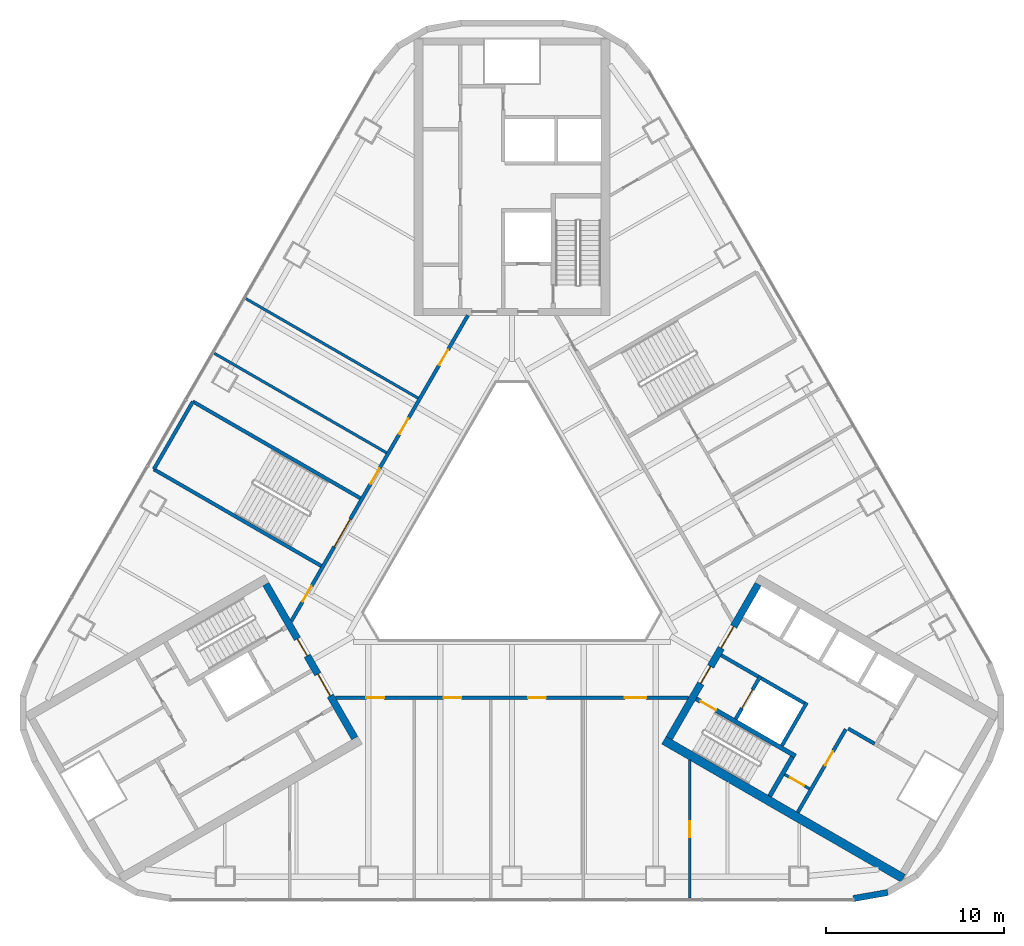
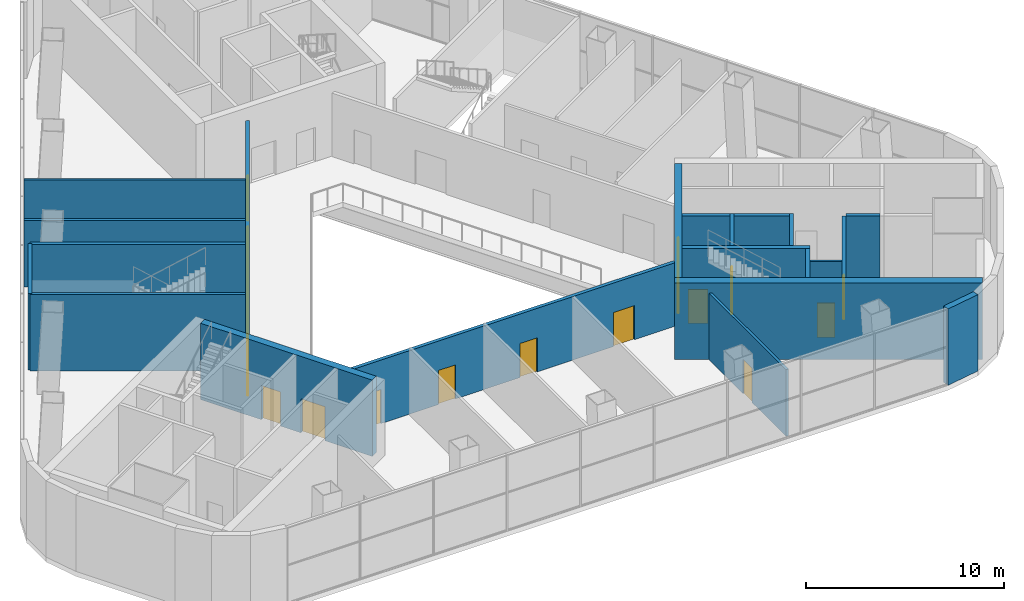
# One storey, part 8 of 13: 21 walls, 18 doors, 18 openings.
"""IFC4 building model written with IfcOpenShell, lengths in metres."""

from ifc_helpers import new_model, si_unit, direction, frame, frame_2d, origin, place, context, subcontext, project, spatial, rectangle, extrude, material, layer, layer_set, type_object, element, fill, save


model = new_model("IFC4")

# Units and contexts
model_context = context("Model", 3, precision=1e-05, world=origin(), true_north=direction((0.0, 1.0)))
body_context = subcontext(model_context, "Body", "Model", "MODEL_VIEW")
ifc_project = project(units=[si_unit("LENGTHUNIT", "METRE"), si_unit("AREAUNIT", "SQUARE_METRE"), si_unit("VOLUMEUNIT", "CUBIC_METRE"), si_unit("PLANEANGLEUNIT", "RADIAN"), si_unit("MASSUNIT", "GRAM", prefix="KILO")], contexts=[model_context])

# Site, building, storey
site_placement = place(None, origin())
site = spatial("IfcSite", under=ifc_project, at=site_placement, CompositionType="ELEMENT")
building_placement = place(site_placement, origin())
building = spatial("IfcBuilding", under=site, at=building_placement, Name="Apuvela Tower Hotel", CompositionType="ELEMENT")
storey_placement = place(building_placement, frame((0.0, 0.0, 23.5)))
storey = spatial("IfcBuildingStorey", under=building, at=storey_placement, Name="L03", CompositionType="ELEMENT", Elevation=23.5)

# Wall, openings, doors
ifc_material_1 = material(Name="Concrete C50/60", Category="concrete")
ifc_layer_1 = layer(ifc_material_1, 0.39990234375)
ifc_layer_set_1 = layer_set([ifc_layer_1], Name="COR-WALL-CORE-400")
wall_type_1 = type_object("IfcWallType", Name="COR-WALL-CORE-400", PredefinedType="SHEAR", material=ifc_layer_set_1)
wall_1_placement = place(storey_placement, frame((-13.844970703125, -2.219970703125, 0.0), z_axis=(0.0, 0.0, 1.0), x_axis=(0.500004234368, -0.866022959057, 0.0)))
wall_1 = element("IfcWall", 1, at=wall_1_placement, inside=storey, type_object=wall_type_1, Name="Core wall SW", PredefinedType="SHEAR", context=body_context, shape_type="SweptSolid", body=[
    extrude(rectangle(XDim=10.0, YDim=0.39990234375, at=frame_2d((5.0, 0.0))), origin(), (0.0, 0.0, 1.0), 4.699951171875),
])
opening_1_placement = place(wall_1_placement, frame((3.550048828125, 0.0, 0.0)))
opening_1 = element("IfcOpeningElement", 2, at=opening_1_placement, cuts=wall_1, Name="Opening W-FD", PredefinedType="OPENING", context=body_context, shape_type="SweptSolid", body=[
    extrude(rectangle(XDim=1.10009765625, YDim=2.10009765625, at=frame_2d((0.550048828125, 1.050048828125))), frame((0.0, 0.2099609375, 0.0), z_axis=(0.0, -1.0, 0.0), x_axis=(1.0, 0.0, 0.0)), (0.0, 0.0, 1.0), 0.419921875),
])
opening_2_placement = place(wall_1_placement, frame((5.85009765625, 0.0, 0.0)))
opening_2 = element("IfcOpeningElement", 3, at=opening_2_placement, cuts=wall_1, Name="Opening W-GD", PredefinedType="OPENING", context=body_context, shape_type="SweptSolid", body=[
    extrude(rectangle(XDim=1.39990234375, YDim=2.10009765625, at=frame_2d((0.699951171875, 1.050048828125))), frame((0.0, 0.2099609375, 0.0), z_axis=(0.0, -1.0, 0.0), x_axis=(1.0, 0.0, 0.0)), (0.0, 0.0, 1.0), 0.419921875),
])
ifc_material_2 = material(Name="Steel fire door, powder coated", Category="steel")
door_type_1 = type_object("IfcDoorType", Name="COR-FD-1100", OperationType="NOTDEFINED", PredefinedType="DOOR", material=ifc_material_2)
door_1_placement = place(opening_1_placement, frame((1.10009765625, 0.0, 0.0), z_axis=(0.0, 0.0, 1.0), x_axis=(-1.0, 0.0, 0.0)))
door_1 = element("IfcDoor", 4, at=door_1_placement, inside=storey, type_object=door_type_1, Name="Firefighting lobby door W-FD", OperationType="SINGLE_SWING_LEFT", OverallHeight=2.10009765625, OverallWidth=1.10009765625, PredefinedType="DOOR", context=body_context, shape_type="SweptSolid", body=[
    extrude(rectangle(XDim=1.10009765625, YDim=2.10009765625, at=frame_2d((0.550048828125, 1.050048828125))), frame((0.0, 0.02490234375, 0.0), z_axis=(0.0, -1.0, 0.0), x_axis=(1.0, 0.0, 0.0)), (0.0, 0.0, 1.0), 0.050048828125),
])
fill(opening_1, door_1)
ifc_material_3 = material(Name="Glazed steel fire door", Category="steel")
door_type_2 = type_object("IfcDoorType", Name="COR-GD-1400", OperationType="DOUBLE_DOOR_SINGLE_SWING", PredefinedType="DOOR", material=ifc_material_3)
door_2_placement = place(opening_2_placement, frame((1.39990234375, 0.0, 0.0), z_axis=(0.0, 0.0, 1.0), x_axis=(-1.0, 0.0, 0.0)))
door_2 = element("IfcDoor", 5, at=door_2_placement, inside=storey, type_object=door_type_2, Name="Lift lobby door W-GD", OperationType="DOUBLE_DOOR_SINGLE_SWING", OverallHeight=2.10009765625, OverallWidth=1.39990234375, PredefinedType="DOOR", context=body_context, shape_type="SweptSolid", body=[
    extrude(rectangle(XDim=1.39990234375, YDim=2.10009765625, at=frame_2d((0.699951171875, 1.050048828125))), frame((0.0, 0.02490234375, 0.0), z_axis=(0.0, -1.0, 0.0), x_axis=(1.0, 0.0, 0.0)), (0.0, 0.0, 1.0), 0.050048828125),
])
fill(opening_2, door_2)

wall_2_placement = place(storey_placement, frame((8.844970703125, -10.880126953125, 0.0), z_axis=(0.0, 0.0, 1.0), x_axis=(0.500004234368, 0.866022959057, 0.0)))
wall_2 = element("IfcWall", 6, at=wall_2_placement, inside=storey, type_object=wall_type_1, Name="Core wall SE", PredefinedType="SHEAR", context=body_context, shape_type="SweptSolid", body=[
    extrude(rectangle(XDim=10.0, YDim=0.39990234375, at=frame_2d((5.0, 0.0))), origin(), (0.0, 0.0, 1.0), 4.699951171875),
])
opening_3_placement = place(wall_2_placement, frame((3.550048828125, 0.0, 0.0)))
opening_3 = element("IfcOpeningElement", 7, at=opening_3_placement, cuts=wall_2, Name="Opening E-FD", PredefinedType="OPENING", context=body_context, shape_type="SweptSolid", body=[
    extrude(rectangle(XDim=1.10009765625, YDim=2.10009765625, at=frame_2d((0.550048828125, 1.050048828125))), frame((0.0, 0.2099609375, 0.0), z_axis=(0.0, -1.0, 0.0), x_axis=(1.0, 0.0, 0.0)), (0.0, 0.0, 1.0), 0.419921875),
])
opening_4_placement = place(wall_2_placement, frame((5.85009765625, 0.0, 0.0)))
opening_4 = element("IfcOpeningElement", 8, at=opening_4_placement, cuts=wall_2, Name="Opening E-GD", PredefinedType="OPENING", context=body_context, shape_type="SweptSolid", body=[
    extrude(rectangle(XDim=1.39990234375, YDim=2.10009765625, at=frame_2d((0.699951171875, 1.050048828125))), frame((0.0, 0.2099609375, 0.0), z_axis=(0.0, -1.0, 0.0), x_axis=(1.0, 0.0, 0.0)), (0.0, 0.0, 1.0), 0.419921875),
])
door_3_placement = place(opening_3_placement, frame((1.10009765625, 0.0, 0.0), z_axis=(0.0, 0.0, 1.0), x_axis=(-1.0, 0.0, 0.0)))
door_3 = element("IfcDoor", 9, at=door_3_placement, inside=storey, type_object=door_type_1, Name="Firefighting lobby door E-FD", OperationType="SINGLE_SWING_LEFT", OverallHeight=2.10009765625, OverallWidth=1.10009765625, PredefinedType="DOOR", context=body_context, shape_type="SweptSolid", body=[
    extrude(rectangle(XDim=1.10009765625, YDim=2.10009765625, at=frame_2d((0.550048828125, 1.050048828125))), frame((0.0, 0.02490234375, 0.0), z_axis=(0.0, -1.0, 0.0), x_axis=(1.0, 0.0, 0.0)), (0.0, 0.0, 1.0), 0.050048828125),
])
fill(opening_3, door_3)
door_4_placement = place(opening_4_placement, frame((1.39990234375, 0.0, 0.0), z_axis=(0.0, 0.0, 1.0), x_axis=(-1.0, 0.0, 0.0)))
door_4 = element("IfcDoor", 10, at=door_4_placement, inside=storey, type_object=door_type_2, Name="Lift lobby door E-GD", OperationType="DOUBLE_DOOR_SINGLE_SWING", OverallHeight=2.10009765625, OverallWidth=1.39990234375, PredefinedType="DOOR", context=body_context, shape_type="SweptSolid", body=[
    extrude(rectangle(XDim=1.39990234375, YDim=2.10009765625, at=frame_2d((0.699951171875, 1.050048828125))), frame((0.0, 0.02490234375, 0.0), z_axis=(0.0, -1.0, 0.0), x_axis=(1.0, 0.0, 0.0)), (0.0, 0.0, 1.0), 0.050048828125),
])
fill(opening_4, door_4)

# Wall
ifc_layer_2 = layer(ifc_material_1, 0.5)
ifc_layer_set_2 = layer_set([ifc_layer_2], Name="COR-WALL-CORE-500")
wall_type_2 = type_object("IfcWallType", Name="COR-WALL-CORE-500", PredefinedType="SHEAR", material=ifc_layer_set_2)
wall_3_placement = place(storey_placement, frame((8.546630859375, -10.99658203125, 0.0), z_axis=(0.0, 0.0, 1.0), x_axis=(0.866025760136, -0.499999382781, 0.0)))
element("IfcWall", 11, at=wall_3_placement, inside=storey, type_object=wall_type_2, Name="Core wall SE", PredefinedType="SHEAR", context=body_context, shape_type="SweptSolid", body=[
    extrude(rectangle(XDim=15.54248046875, YDim=0.5, at=frame_2d((7.771240234375, 0.0))), origin(), (0.0, 0.0, 1.0), 4.699951171875),
])

# Wall, opening, door
ifc_material_4 = material(Name="Blockwork 150 mm plastered", Category="masonry")
ifc_layer_3 = layer(ifc_material_4, 0.14990234375)
ifc_layer_set_3 = layer_set([ifc_layer_3], Name="COR-WALL-PART-150")
wall_type_3 = type_object("IfcWallType", Name="COR-WALL-PART-150", PredefinedType="PARTITIONING", material=ifc_layer_set_3)
wall_4_placement = place(storey_placement, frame((15.341552734375, -12.927734375, 0.0), z_axis=(0.0, 0.0, 1.0), x_axis=(0.865989903783, -0.500061482766, 0.0)))
wall_4 = element("IfcWall", 12, at=wall_4_placement, inside=storey, type_object=wall_type_3, Name="Partition SE", PredefinedType="PARTITIONING", context=body_context, shape_type="SweptSolid", body=[
    extrude(rectangle(XDim=1.599853515625, YDim=0.14990234375, at=frame_2d((0.7998046875, 0.0))), origin(), (0.0, 0.0, 1.0), 4.699951171875),
])
opening_5_placement = place(wall_4_placement, frame((0.35009765625, 0.0, 0.0)))
opening_5 = element("IfcOpeningElement", 13, at=opening_5_placement, cuts=wall_4, Name="Opening E-RD", PredefinedType="OPENING", context=body_context, shape_type="SweptSolid", body=[
    extrude(rectangle(XDim=0.89990234375, YDim=2.10009765625, at=frame_2d((0.449951171875, 1.050048828125))), frame((0.0, 0.0849609375, 0.0), z_axis=(0.0, -1.0, 0.0), x_axis=(1.0, 0.0, 0.0)), (0.0, 0.0, 1.0), 0.169921875),
])
ifc_material_5 = material(Name="Steel access door, powder coated", Category="steel")
door_type_3 = type_object("IfcDoorType", Name="COR-RD-900", OperationType="NOTDEFINED", PredefinedType="DOOR", material=ifc_material_5)
door_5_placement = place(opening_5_placement, frame((0.89990234375, 0.0, 0.0), z_axis=(0.0, 0.0, 1.0), x_axis=(-1.0, 0.0, 0.0)))
door_5 = element("IfcDoor", 14, at=door_5_placement, inside=storey, type_object=door_type_3, Name="Riser door E-RD", OperationType="SINGLE_SWING_LEFT", OverallHeight=2.10009765625, OverallWidth=0.89990234375, PredefinedType="DOOR", context=body_context, shape_type="SweptSolid", body=[
    extrude(rectangle(XDim=0.89990234375, YDim=2.10009765625, at=frame_2d((0.449951171875, 1.050048828125))), frame((0.0, 0.02490234375, 0.0), z_axis=(0.0, -1.0, 0.0), x_axis=(1.0, 0.0, 0.0)), (0.0, 0.0, 1.0), 0.050048828125),
])
fill(opening_5, door_5)

ifc_material_6 = material(Name="Blockwork 200 mm plastered", Category="masonry")
ifc_layer_4 = layer(ifc_material_6, 0.199951171875)
ifc_layer_set_4 = layer_set([ifc_layer_4], Name="COR-WALL-PART-200")
wall_type_4 = type_object("IfcWallType", Name="COR-WALL-PART-200", PredefinedType="PARTITIONING", material=ifc_layer_set_4)
wall_5_placement = place(storey_placement, frame((16.076171875, -15.05517578125, 0.0), z_axis=(0.0, 0.0, 1.0), x_axis=(0.499995103361, 0.866028230842, 0.0)))
wall_5 = element("IfcWall", 15, at=wall_5_placement, inside=storey, type_object=wall_type_4, Name="Partition SE", PredefinedType="PARTITIONING", context=body_context, shape_type="SweptSolid", body=[
    extrude(rectangle(XDim=5.39990234375, YDim=0.199951171875, at=frame_2d((2.699951171875, 0.0))), origin(), (0.0, 0.0, 1.0), 4.699951171875),
])
opening_6_placement = place(wall_5_placement, frame((3.050048828125, 0.0, 0.0)))
opening_6 = element("IfcOpeningElement", 16, at=opening_6_placement, cuts=wall_5, Name="Opening E-RS1", PredefinedType="OPENING", context=body_context, shape_type="SweptSolid", body=[
    extrude(rectangle(XDim=0.89990234375, YDim=2.10009765625, at=frame_2d((0.449951171875, 1.050048828125))), frame((0.0, 0.10986328125, 0.0), z_axis=(0.0, -1.0, 0.0), x_axis=(1.0, 0.0, 0.0)), (0.0, 0.0, 1.0), 0.219970703125),
])
door_type_4 = type_object("IfcDoorType", Name="COR-DR-900", OperationType="NOTDEFINED", PredefinedType="DOOR", material=ifc_material_2)
door_6_placement = place(opening_6_placement, frame((0.89990234375, 0.0, 0.0), z_axis=(0.0, 0.0, 1.0), x_axis=(-1.0, 0.0, 0.0)))
door_6 = element("IfcDoor", 17, at=door_6_placement, inside=storey, type_object=door_type_4, Name="Store door E-RS1", OperationType="SINGLE_SWING_LEFT", OverallHeight=2.10009765625, OverallWidth=0.89990234375, PredefinedType="DOOR", context=body_context, shape_type="SweptSolid", body=[
    extrude(rectangle(XDim=0.89990234375, YDim=2.10009765625, at=frame_2d((0.449951171875, 1.050048828125))), frame((0.0, 0.02490234375, 0.0), z_axis=(0.0, -1.0, 0.0), x_axis=(1.0, 0.0, 0.0)), (0.0, 0.0, 1.0), 0.050048828125),
])
fill(opening_6, door_6)

# Wall
ifc_layer_5 = layer(ifc_material_1, 0.199951171875)
ifc_layer_set_5 = layer_set([ifc_layer_5], Name="COR-WALL-SHAFT-200")
wall_type_5 = type_object("IfcWallType", Name="COR-WALL-SHAFT-200", PredefinedType="SHEAR", material=ifc_layer_set_5)
wall_6_placement = place(storey_placement, frame((15.181396484375, -11.305419921875, 0.0), z_axis=(0.0, 0.0, 1.0), x_axis=(0.49994636267, 0.866056369097, 0.0)))
element("IfcWall", 18, at=wall_6_placement, inside=storey, type_object=wall_type_5, Name="Shaft wall SE", PredefinedType="SHEAR", context=body_context, shape_type="SweptSolid", body=[
    extrude(rectangle(XDim=2.800048828125, YDim=0.199951171875, at=frame_2d((1.39990234375, 0.0))), origin(), (0.0, 0.0, 1.0), 4.699951171875),
])

# Wall, opening, door
wall_7_placement = place(storey_placement, frame((12.583251953125, -9.805419921875, 0.0), z_axis=(0.0, 0.0, 1.0), x_axis=(0.49994636267, 0.866056369097, 0.0)))
wall_7 = element("IfcWall", 19, at=wall_7_placement, inside=storey, type_object=wall_type_5, Name="Shaft wall SE", PredefinedType="SHEAR", context=body_context, shape_type="SweptSolid", body=[
    extrude(rectangle(XDim=2.800048828125, YDim=0.199951171875, at=frame_2d((1.39990234375, 0.0))), origin(), (0.0, 0.0, 1.0), 4.699951171875),
])
opening_7_placement = place(wall_7_placement, frame((0.699951171875, 0.0, 0.0)))
opening_7 = element("IfcOpeningElement", 20, at=opening_7_placement, cuts=wall_7, Name="Opening E-LD-FS3", PredefinedType="OPENING", context=body_context, shape_type="SweptSolid", body=[
    extrude(rectangle(XDim=1.199951171875, YDim=2.10009765625, at=frame_2d((0.60009765625, 1.050048828125))), frame((0.0, 0.10986328125, 0.0), z_axis=(0.0, -1.0, 0.0), x_axis=(1.0, 0.0, 0.0)), (0.0, 0.0, 1.0), 0.219970703125),
])
ifc_material_7 = material(Name="Stainless steel lift landing door", Category="steel")
door_type_5 = type_object("IfcDoorType", Name="COR-LD-1200", OperationType="DOUBLE_DOOR_SLIDING", PredefinedType="DOOR", material=ifc_material_7)
door_7_placement = place(opening_7_placement, origin())
door_7 = element("IfcDoor", 21, at=door_7_placement, inside=storey, type_object=door_type_5, Name="Lift landing door E-LD-FS3", OperationType="DOUBLE_DOOR_SLIDING", OverallHeight=2.10009765625, OverallWidth=1.199951171875, PredefinedType="DOOR", context=body_context, shape_type="SweptSolid", body=[
    extrude(rectangle(XDim=1.199951171875, YDim=2.10009765625, at=frame_2d((0.60009765625, 1.050048828125))), frame((0.0, 0.02490234375, 0.0), z_axis=(0.0, -1.0, 0.0), x_axis=(1.0, 0.0, 0.0)), (0.0, 0.0, 1.0), 0.050048828125),
])
fill(opening_7, door_7)

# Walls
wall_8_placement = place(storey_placement, frame((11.76806640625, -6.217041015625, 0.0), z_axis=(0.0, 0.0, 1.0), x_axis=(0.866050077142, -0.499957262057, 0.0)))
element("IfcWall", 22, at=wall_8_placement, inside=storey, type_object=wall_type_5, Name="Shaft wall SE", PredefinedType="SHEAR", context=body_context, shape_type="SweptSolid", body=[
    extrude(rectangle(XDim=2.400146484375, YDim=0.199951171875, at=frame_2d((1.2001953125, 0.0))), origin(), (0.0, 0.0, 1.0), 4.699951171875),
])
wall_9_placement = place(storey_placement, frame((14.019775390625, -7.51708984375, 0.0), z_axis=(0.0, 0.0, 1.0), x_axis=(0.866034573852, -0.49998411664, 0.0)))
element("IfcWall", 23, at=wall_9_placement, inside=storey, type_object=wall_type_5, Name="Shaft wall SE", PredefinedType="SHEAR", context=body_context, shape_type="SweptSolid", body=[
    extrude(rectangle(XDim=2.7998046875, YDim=0.199951171875, at=frame_2d((1.39990234375, 0.0))), origin(), (0.0, 0.0, 1.0), 4.699951171875),
])
wall_10_placement = place(storey_placement, frame((18.912841796875, -10.342041015625, 0.0), z_axis=(0.0, 0.0, 1.0), x_axis=(0.866038183914, -0.499977863513, 0.0)))
element("IfcWall", 24, at=wall_10_placement, inside=storey, type_object=wall_type_5, Name="Shaft wall SE", PredefinedType="SHEAR", context=body_context, shape_type="SweptSolid", body=[
    extrude(rectangle(XDim=1.7099609375, YDim=0.199951171875, at=frame_2d((0.85498046875, 0.0))), origin(), (0.0, 0.0, 1.0), 4.699951171875),
])

# Wall, opening, door
ifc_layer_6 = layer(ifc_material_1, 0.25)
ifc_layer_set_6 = layer_set([ifc_layer_6], Name="COR-WALL-STAIR-250")
wall_type_6 = type_object("IfcWallType", Name="COR-WALL-STAIR-250", PredefinedType="SHEAR", material=ifc_layer_set_6)
wall_11_placement = place(storey_placement, frame((10.355712890625, -8.66357421875, 0.0), z_axis=(0.0, 0.0, 1.0), x_axis=(0.866028629588, -0.499994412703, 0.0)))
wall_11 = element("IfcWall", 25, at=wall_11_placement, inside=storey, type_object=wall_type_6, Name="Stair wall SE", PredefinedType="SHEAR", context=body_context, shape_type="SweptSolid", body=[
    extrude(rectangle(XDim=6.44970703125, YDim=0.25, at=frame_2d((3.224853515625, 0.0))), origin(), (0.0, 0.0, 1.0), 4.699951171875),
])
opening_8_placement = place(wall_11_placement, frame((0.300048828125, 0.0, 0.0)))
opening_8 = element("IfcOpeningElement", 26, at=opening_8_placement, cuts=wall_11, Name="Opening E-SD", PredefinedType="OPENING", context=body_context, shape_type="SweptSolid", body=[
    extrude(rectangle(XDim=1.0, YDim=2.10009765625, at=frame_2d((0.5, 1.050048828125))), frame((0.0, 0.135009765625, 0.0), z_axis=(0.0, -1.0, 0.0), x_axis=(1.0, 0.0, 0.0)), (0.0, 0.0, 1.0), 0.27001953125),
])
door_type_6 = type_object("IfcDoorType", Name="COR-SD-1000", OperationType="NOTDEFINED", PredefinedType="DOOR", material=ifc_material_2)
door_8_placement = place(opening_8_placement, frame((1.0, 0.0, 0.0), z_axis=(0.0, 0.0, 1.0), x_axis=(-1.0, 0.0, 0.0)))
door_8 = element("IfcDoor", 27, at=door_8_placement, inside=storey, type_object=door_type_6, Name="Stair door E-SD", OperationType="SINGLE_SWING_LEFT", OverallHeight=2.10009765625, OverallWidth=1.0, PredefinedType="DOOR", context=body_context, shape_type="SweptSolid", body=[
    extrude(rectangle(XDim=1.0, YDim=2.10009765625, at=frame_2d((0.5, 1.050048828125))), frame((0.0, 0.02490234375, 0.0), z_axis=(0.0, -1.0, 0.0), x_axis=(1.0, 0.0, 0.0)), (0.0, 0.0, 1.0), 0.050048828125),
])
fill(opening_8, door_8)

# Walls
wall_12_placement = place(storey_placement, frame((14.49560546875, -14.142578125, 0.0), z_axis=(0.0, 0.0, 1.0), x_axis=(0.500062241894, 0.865989465428, 0.0)))
element("IfcWall", 28, at=wall_12_placement, inside=storey, type_object=wall_type_6, Name="Stair wall SE", PredefinedType="SHEAR", context=body_context, shape_type="SweptSolid", body=[
    extrude(rectangle(XDim=2.550048828125, YDim=0.25, at=frame_2d((1.27490234375, 0.0))), origin(), (0.0, 0.0, 1.0), 4.699951171875),
])
ifc_material_8 = material(Name="Concrete C40/50, dark pigmented precast panel", Category="concrete")
ifc_layer_7 = layer(ifc_material_8, 0.35009765625)
ifc_layer_set_7 = layer_set([ifc_layer_7], Name="ENV-WALL-350")
wall_type_7 = type_object("IfcWallType", Name="ENV-WALL-350", PredefinedType="SOLIDWALL", material=ifc_layer_set_7)
wall_13_placement = place(storey_placement, frame((19.212890625, -19.90380859375, 0.0), z_axis=(0.0, 0.0, 1.0), x_axis=(0.984796137525, 0.173714039487, 0.0)))
element("IfcWall", 29, at=wall_13_placement, inside=storey, type_object=wall_type_7, Name="External wall L03-16", PredefinedType="SOLIDWALL", context=body_context, shape_type="SweptSolid", body=[
    extrude(rectangle(XDim=1.95361328125, YDim=0.35009765625, at=frame_2d((0.976806640625, 0.0))), origin(), (0.0, 0.0, 1.0), 4.699951171875),
])

# Wall, openings, doors
ifc_material_9 = material(Name="Fire-rated gypsum board partition on steel stud", Category="steel")
ifc_layer_8 = layer(ifc_material_9, 0.199951171875)
ifc_layer_set_8 = layer_set([ifc_layer_8], Name="SPC-WALL-CORRIDOR")
wall_type_8 = type_object("IfcWallType", Name="SPC-WALL-CORRIDOR", PredefinedType="PARTITIONING", material=ifc_layer_set_8)
wall_14_placement = place(storey_placement, frame((-9.930419921875, -8.60009765625, 0.0), z_axis=(0.0, 0.0, 1.0), x_axis=(1.0, 0.0, 0.0)))
wall_14 = element("IfcWall", 30, at=wall_14_placement, inside=storey, type_object=wall_type_8, Name="Wall L03-S-CW", PredefinedType="PARTITIONING", context=body_context, shape_type="SweptSolid", body=[
    extrude(rectangle(XDim=19.86083984375, YDim=0.199951171875, at=frame_2d((9.930419921875, 0.0))), origin(), (0.0, 0.0, 1.0), 3.909912109375),
])
opening_9_placement = place(wall_14_placement, frame((1.733642578125, 0.0, 0.0)))
opening_9 = element("IfcOpeningElement", 31, at=opening_9_placement, cuts=wall_14, Name="Opening L03-S07", PredefinedType="OPENING", context=body_context, shape_type="SweptSolid", body=[
    extrude(rectangle(XDim=1.0, YDim=2.10009765625, at=frame_2d((0.5, 1.050048828125))), frame((0.0, 0.10986328125, 0.0), z_axis=(0.0, -1.0, 0.0), x_axis=(1.0, 0.0, 0.0)), (0.0, 0.0, 1.0), 0.219970703125),
])
opening_10_placement = place(wall_14_placement, frame((6.08056640625, 0.0, 0.0)))
opening_10 = element("IfcOpeningElement", 32, at=opening_10_placement, cuts=wall_14, Name="Opening L03-S09", PredefinedType="OPENING", context=body_context, shape_type="SweptSolid", body=[
    extrude(rectangle(XDim=1.0, YDim=2.10009765625, at=frame_2d((0.5, 1.050048828125))), frame((0.0, 0.10986328125, 0.0), z_axis=(0.0, -1.0, 0.0), x_axis=(1.0, 0.0, 0.0)), (0.0, 0.0, 1.0), 0.219970703125),
])
opening_11_placement = place(wall_14_placement, frame((10.83056640625, 0.0, 0.0)))
opening_11 = element("IfcOpeningElement", 33, at=opening_11_placement, cuts=wall_14, Name="Opening L03-S10", PredefinedType="OPENING", context=body_context, shape_type="SweptSolid", body=[
    extrude(rectangle(XDim=1.0, YDim=2.10009765625, at=frame_2d((0.5, 1.050048828125))), frame((0.0, 0.10986328125, 0.0), z_axis=(0.0, -1.0, 0.0), x_axis=(1.0, 0.0, 0.0)), (0.0, 0.0, 1.0), 0.219970703125),
])
opening_12_placement = place(wall_14_placement, frame((16.277587890625, 0.0, 0.0)))
opening_12 = element("IfcOpeningElement", 34, at=opening_12_placement, cuts=wall_14, Name="Opening L03-S11", PredefinedType="OPENING", context=body_context, shape_type="SweptSolid", body=[
    extrude(rectangle(XDim=1.199951171875, YDim=2.10009765625, at=frame_2d((0.60009765625, 1.050048828125))), frame((0.0, 0.10986328125, 0.0), z_axis=(0.0, -1.0, 0.0), x_axis=(1.0, 0.0, 0.0)), (0.0, 0.0, 1.0), 0.219970703125),
])
ifc_material_10 = material(Name="Fire-rated hardwood veneer door leaf", Category="wood")
door_type_7 = type_object("IfcDoorType", Name="SPC-DOOR-1000-FD", OperationType="NOTDEFINED", PredefinedType="DOOR", material=ifc_material_10)
door_9_placement = place(opening_9_placement, origin())
door_9 = element("IfcDoor", 35, at=door_9_placement, inside=storey, type_object=door_type_7, Name="L03-S07", OperationType="SINGLE_SWING_LEFT", OverallHeight=2.10009765625, OverallWidth=1.0, PredefinedType="DOOR", context=body_context, shape_type="SweptSolid", body=[
    extrude(rectangle(XDim=1.0, YDim=2.10009765625, at=frame_2d((0.5, 1.050048828125))), frame((0.0, 0.02490234375, 0.0), z_axis=(0.0, -1.0, 0.0), x_axis=(1.0, 0.0, 0.0)), (0.0, 0.0, 1.0), 0.050048828125),
])
fill(opening_9, door_9)
door_10_placement = place(opening_10_placement, origin())
door_10 = element("IfcDoor", 36, at=door_10_placement, inside=storey, type_object=door_type_7, Name="L03-S09", OperationType="SINGLE_SWING_RIGHT", OverallHeight=2.10009765625, OverallWidth=1.0, PredefinedType="DOOR", context=body_context, shape_type="SweptSolid", body=[
    extrude(rectangle(XDim=1.0, YDim=2.10009765625, at=frame_2d((0.5, 1.050048828125))), frame((0.0, 0.02490234375, 0.0), z_axis=(0.0, -1.0, 0.0), x_axis=(1.0, 0.0, 0.0)), (0.0, 0.0, 1.0), 0.050048828125),
])
fill(opening_10, door_10)
door_11_placement = place(opening_11_placement, origin())
door_11 = element("IfcDoor", 37, at=door_11_placement, inside=storey, type_object=door_type_7, Name="L03-S10", OperationType="SINGLE_SWING_LEFT", OverallHeight=2.10009765625, OverallWidth=1.0, PredefinedType="DOOR", context=body_context, shape_type="SweptSolid", body=[
    extrude(rectangle(XDim=1.0, YDim=2.10009765625, at=frame_2d((0.5, 1.050048828125))), frame((0.0, 0.02490234375, 0.0), z_axis=(0.0, -1.0, 0.0), x_axis=(1.0, 0.0, 0.0)), (0.0, 0.0, 1.0), 0.050048828125),
])
fill(opening_11, door_11)
door_type_8 = type_object("IfcDoorType", Name="SPC-DOOR-1200-FD", OperationType="NOTDEFINED", PredefinedType="DOOR", material=ifc_material_10)
door_12_placement = place(opening_12_placement, origin())
door_12 = element("IfcDoor", 38, at=door_12_placement, inside=storey, type_object=door_type_8, Name="L03-S11", OperationType="SINGLE_SWING_RIGHT", OverallHeight=2.10009765625, OverallWidth=1.199951171875, PredefinedType="DOOR", context=body_context, shape_type="SweptSolid", body=[
    extrude(rectangle(XDim=1.199951171875, YDim=2.10009765625, at=frame_2d((0.60009765625, 1.050048828125))), frame((0.0, 0.02490234375, 0.0), z_axis=(0.0, -1.0, 0.0), x_axis=(1.0, 0.0, 0.0)), (0.0, 0.0, 1.0), 0.050048828125),
])
fill(opening_12, door_12)

wall_15_placement = place(storey_placement, frame((-2.482421875, 12.900146484375, 0.0), z_axis=(0.0, 0.0, 1.0), x_axis=(-0.50000478328, -0.866022642139, 0.0)))
wall_15 = element("IfcWall", 39, at=wall_15_placement, inside=storey, type_object=wall_type_8, Name="Wall L03-NW-CW", PredefinedType="PARTITIONING", context=body_context, shape_type="SweptSolid", body=[
    extrude(rectangle(XDim=19.861083984375, YDim=0.199951171875, at=frame_2d((9.9306640625, 0.0))), origin(), (0.0, 0.0, 1.0), 3.909912109375),
])
opening_13_placement = place(wall_15_placement, frame((13.23046875, 0.0, 0.0)))
opening_13 = element("IfcOpeningElement", 40, at=opening_13_placement, cuts=wall_15, Name="Opening L03-S06", PredefinedType="OPENING", context=body_context, shape_type="SweptSolid", body=[
    extrude(rectangle(XDim=1.800048828125, YDim=2.10009765625, at=frame_2d((0.89990234375, 1.050048828125))), frame((0.0, 0.10986328125, 0.0), z_axis=(0.0, -1.0, 0.0), x_axis=(1.0, 0.0, 0.0)), (0.0, 0.0, 1.0), 0.219970703125),
])
opening_14_placement = place(wall_15_placement, frame((2.233642578125, 0.0, 0.0)))
opening_14 = element("IfcOpeningElement", 41, at=opening_14_placement, cuts=wall_15, Name="Opening L03-S13", PredefinedType="OPENING", context=body_context, shape_type="SweptSolid", body=[
    extrude(rectangle(XDim=1.0, YDim=2.10009765625, at=frame_2d((0.5, 1.050048828125))), frame((0.0, 0.10986328125, 0.0), z_axis=(0.0, -1.0, 0.0), x_axis=(1.0, 0.0, 0.0)), (0.0, 0.0, 1.0), 0.219970703125),
])
opening_15_placement = place(wall_15_placement, frame((6.70556640625, 0.0, 0.0)))
opening_15 = element("IfcOpeningElement", 42, at=opening_15_placement, cuts=wall_15, Name="Opening L03-S14", PredefinedType="OPENING", context=body_context, shape_type="SweptSolid", body=[
    extrude(rectangle(XDim=1.0, YDim=2.10009765625, at=frame_2d((0.5, 1.050048828125))), frame((0.0, 0.10986328125, 0.0), z_axis=(0.0, -1.0, 0.0), x_axis=(1.0, 0.0, 0.0)), (0.0, 0.0, 1.0), 0.219970703125),
])
opening_16_placement = place(wall_15_placement, frame((9.943115234375, 0.0, 0.0)))
opening_16 = element("IfcOpeningElement", 43, at=opening_16_placement, cuts=wall_15, Name="Opening L03-S15", PredefinedType="OPENING", context=body_context, shape_type="SweptSolid", body=[
    extrude(rectangle(XDim=1.0, YDim=2.10009765625, at=frame_2d((0.5, 1.050048828125))), frame((0.0, 0.10986328125, 0.0), z_axis=(0.0, -1.0, 0.0), x_axis=(1.0, 0.0, 0.0)), (0.0, 0.0, 1.0), 0.219970703125),
])
opening_17_placement = place(wall_15_placement, frame((17.590087890625, 0.0, 0.0)))
opening_17 = element("IfcOpeningElement", 44, at=opening_17_placement, cuts=wall_15, Name="Opening L03-S16", PredefinedType="OPENING", context=body_context, shape_type="SweptSolid", body=[
    extrude(rectangle(XDim=1.0, YDim=2.10009765625, at=frame_2d((0.5, 1.050048828125))), frame((0.0, 0.10986328125, 0.0), z_axis=(0.0, -1.0, 0.0), x_axis=(1.0, 0.0, 0.0)), (0.0, 0.0, 1.0), 0.219970703125),
])
door_13_placement = place(opening_14_placement, frame((1.0, 0.0, 0.0), z_axis=(0.0, 0.0, 1.0), x_axis=(-1.0, 0.0, 0.0)))
door_13 = element("IfcDoor", 45, at=door_13_placement, inside=storey, type_object=door_type_7, Name="L03-S13", OperationType="SINGLE_SWING_LEFT", OverallHeight=2.10009765625, OverallWidth=1.0, PredefinedType="DOOR", context=body_context, shape_type="SweptSolid", body=[
    extrude(rectangle(XDim=1.0, YDim=2.10009765625, at=frame_2d((0.5, 1.050048828125))), frame((0.0, 0.02490234375, 0.0), z_axis=(0.0, -1.0, 0.0), x_axis=(1.0, 0.0, 0.0)), (0.0, 0.0, 1.0), 0.050048828125),
])
fill(opening_14, door_13)
door_14_placement = place(opening_15_placement, origin())
door_14 = element("IfcDoor", 46, at=door_14_placement, inside=storey, type_object=door_type_7, Name="L03-S14", OperationType="SINGLE_SWING_LEFT", OverallHeight=2.10009765625, OverallWidth=1.0, PredefinedType="DOOR", context=body_context, shape_type="SweptSolid", body=[
    extrude(rectangle(XDim=1.0, YDim=2.10009765625, at=frame_2d((0.5, 1.050048828125))), frame((0.0, 0.02490234375, 0.0), z_axis=(0.0, -1.0, 0.0), x_axis=(1.0, 0.0, 0.0)), (0.0, 0.0, 1.0), 0.050048828125),
])
fill(opening_15, door_14)
door_15_placement = place(opening_16_placement, frame((1.0, 0.0, 0.0), z_axis=(0.0, 0.0, 1.0), x_axis=(-1.0, 0.0, 0.0)))
door_15 = element("IfcDoor", 47, at=door_15_placement, inside=storey, type_object=door_type_7, Name="L03-S15", OperationType="SINGLE_SWING_RIGHT", OverallHeight=2.10009765625, OverallWidth=1.0, PredefinedType="DOOR", context=body_context, shape_type="SweptSolid", body=[
    extrude(rectangle(XDim=1.0, YDim=2.10009765625, at=frame_2d((0.5, 1.050048828125))), frame((0.0, 0.02490234375, 0.0), z_axis=(0.0, -1.0, 0.0), x_axis=(1.0, 0.0, 0.0)), (0.0, 0.0, 1.0), 0.050048828125),
])
fill(opening_16, door_15)
door_16_placement = place(opening_17_placement, frame((1.0, 0.0, 0.0), z_axis=(0.0, 0.0, 1.0), x_axis=(-1.0, 0.0, 0.0)))
door_16 = element("IfcDoor", 48, at=door_16_placement, inside=storey, type_object=door_type_7, Name="L03-S16", OperationType="SINGLE_SWING_RIGHT", OverallHeight=2.10009765625, OverallWidth=1.0, PredefinedType="DOOR", context=body_context, shape_type="SweptSolid", body=[
    extrude(rectangle(XDim=1.0, YDim=2.10009765625, at=frame_2d((0.5, 1.050048828125))), frame((0.0, 0.02490234375, 0.0), z_axis=(0.0, -1.0, 0.0), x_axis=(1.0, 0.0, 0.0)), (0.0, 0.0, 1.0), 0.050048828125),
])
fill(opening_17, door_16)
ifc_material_11 = material(Name="Steel fire door leaf", Category="steel")
door_type_9 = type_object("IfcDoorType", Name="SPC-DOOR-1800-STAIR", OperationType="NOTDEFINED", PredefinedType="DOOR", material=ifc_material_11)
door_17_placement = place(opening_13_placement, frame((1.800048828125, 0.0, 0.0), z_axis=(0.0, 0.0, 1.0), x_axis=(-1.0, 0.0, 0.0)))
door_17 = element("IfcDoor", 49, at=door_17_placement, inside=storey, type_object=door_type_9, Name="L03-S06", OperationType="DOUBLE_DOOR_SINGLE_SWING", OverallHeight=2.10009765625, OverallWidth=1.800048828125, PredefinedType="DOOR", context=body_context, shape_type="SweptSolid", body=[
    extrude(rectangle(XDim=1.800048828125, YDim=2.10009765625, at=frame_2d((0.89990234375, 1.050048828125))), frame((0.0, 0.02490234375, 0.0), z_axis=(0.0, -1.0, 0.0), x_axis=(1.0, 0.0, 0.0)), (0.0, 0.0, 1.0), 0.050048828125),
])
fill(opening_13, door_17)

# Wall, opening, door
ifc_material_12 = material(Name="Gypsum board partition on steel stud", Category="steel")
ifc_layer_9 = layer(ifc_material_12, 0.14990234375)
ifc_layer_set_9 = layer_set([ifc_layer_9], Name="SPC-WALL-PARTITION")
wall_type_9 = type_object("IfcWallType", Name="SPC-WALL-PARTITION", PredefinedType="PARTITIONING", material=ifc_layer_set_9)
wall_16_placement = place(storey_placement, frame((10.0, -19.8759765625, 0.0), z_axis=(0.0, 0.0, 1.0), x_axis=(0.0, 1.0, 0.0)))
wall_16 = element("IfcWall", 50, at=wall_16_placement, inside=storey, type_object=wall_type_9, Name="Wall L03-S-P05", PredefinedType="PARTITIONING", context=body_context, shape_type="SweptSolid", body=[
    extrude(rectangle(XDim=7.751708984375, YDim=0.14990234375, at=frame_2d((3.8759765625, 0.0))), origin(), (0.0, 0.0, 1.0), 4.10009765625),
])
opening_18_placement = place(wall_16_placement, frame((3.42578125, 0.0, 0.0)))
opening_18 = element("IfcOpeningElement", 51, at=opening_18_placement, cuts=wall_16, Name="Opening L03-S12", PredefinedType="OPENING", context=body_context, shape_type="SweptSolid", body=[
    extrude(rectangle(XDim=0.89990234375, YDim=2.10009765625, at=frame_2d((0.449951171875, 1.050048828125))), frame((0.0, 0.0849609375, 0.0), z_axis=(0.0, -1.0, 0.0), x_axis=(1.0, 0.0, 0.0)), (0.0, 0.0, 1.0), 0.169921875),
])
ifc_material_13 = material(Name="Hardwood veneer door leaf", Category="wood")
door_type_10 = type_object("IfcDoorType", Name="SPC-DOOR-900", OperationType="NOTDEFINED", PredefinedType="DOOR", material=ifc_material_13)
door_18_placement = place(opening_18_placement, frame((0.89990234375, 0.0, 0.0), z_axis=(0.0, 0.0, 1.0), x_axis=(-1.0, 0.0, 0.0)))
door_18 = element("IfcDoor", 52, at=door_18_placement, inside=storey, type_object=door_type_10, Name="L03-S12", OperationType="SINGLE_SWING_RIGHT", OverallHeight=2.10009765625, OverallWidth=0.89990234375, PredefinedType="DOOR", context=body_context, shape_type="SweptSolid", body=[
    extrude(rectangle(XDim=0.89990234375, YDim=2.10009765625, at=frame_2d((0.449951171875, 1.050048828125))), frame((0.0, 0.02490234375, 0.0), z_axis=(0.0, -1.0, 0.0), x_axis=(1.0, 0.0, 0.0)), (0.0, 0.0, 1.0), 0.050048828125),
])
fill(opening_18, door_18)

# Walls
for number, where, z_axis, x_axis, name in (
    (53, (-14.963134765625, 13.835205078125, 0.0), (0.0, 0.0, 1.0), (0.866020428917, -0.500008616625, 0.0), "Wall L03-NW-P01"),
    (54, (-16.738037109375, 10.7607421875, 0.0), (0.0, 0.0, 1.0), (0.866020428917, -0.500008616625, 0.0), "Wall L03-NW-P02"),
):
    element("IfcWall", number, at=place(storey_placement, frame(where, z_axis=z_axis, x_axis=x_axis)), inside=storey, type_object=wall_type_9, Name=name, PredefinedType="PARTITIONING", context=body_context, shape_type="SweptSolid", body=[
        extrude(rectangle(XDim=11.176025390625, YDim=0.14990234375, at=frame_2d((5.587890625, 0.0))), origin(), (0.0, 0.0, 1.0), 4.10009765625),
    ])
ifc_material_14 = material(Name="Concrete C40/50", Category="concrete")
ifc_layer_10 = layer(ifc_material_14, 0.199951171875)
ifc_layer_set_10 = layer_set([ifc_layer_10], Name="SPC-WALL-STAIR")
wall_type_10 = type_object("IfcWallType", Name="SPC-WALL-STAIR", PredefinedType="SOLIDWALL", material=ifc_layer_set_10)
wall_17_placement = place(storey_placement, frame((-17.947998046875, 8.052978515625, 0.0), z_axis=(0.0, 0.0, 1.0), x_axis=(0.86602026553, -0.500008899612, 0.0)))
element("IfcWall", 55, at=wall_17_placement, inside=storey, type_object=wall_type_10, Name="Wall L03-NW-P03", PredefinedType="SOLIDWALL", context=body_context, shape_type="SweptSolid", body=[
    extrude(rectangle(XDim=10.869873046875, YDim=0.199951171875, at=frame_2d((5.43505859375, 0.0))), origin(), (0.0, 0.0, 1.0), 4.699951171875),
])
wall_18_placement = place(storey_placement, frame((-20.148193359375, 4.242431640625, 0.0), z_axis=(0.0, 0.0, 1.0), x_axis=(0.866025880615, -0.499999174104, 0.0)))
element("IfcWall", 56, at=wall_18_placement, inside=storey, type_object=wall_type_10, Name="Wall L03-NW-P04", PredefinedType="SOLIDWALL", context=body_context, shape_type="SweptSolid", body=[
    extrude(rectangle(XDim=10.8701171875, YDim=0.199951171875, at=frame_2d((5.43505859375, 0.0))), origin(), (0.0, 0.0, 1.0), 4.699951171875),
])
wall_19_placement = place(storey_placement, frame((-17.947998046875, 8.052978515625, 0.0), z_axis=(0.0, 0.0, 1.0), x_axis=(-0.50002983664, -0.866008176907, 0.0)))
element("IfcWall", 57, at=wall_19_placement, inside=storey, type_object=wall_type_10, Name="Wall L03-NW-FWX", PredefinedType="SOLIDWALL", context=body_context, shape_type="SweptSolid", body=[
    extrude(rectangle(XDim=4.400146484375, YDim=0.199951171875, at=frame_2d((2.2001953125, 0.0))), origin(), (0.0, 0.0, 1.0), 4.699951171875),
])

save(model, "model.ifc")
